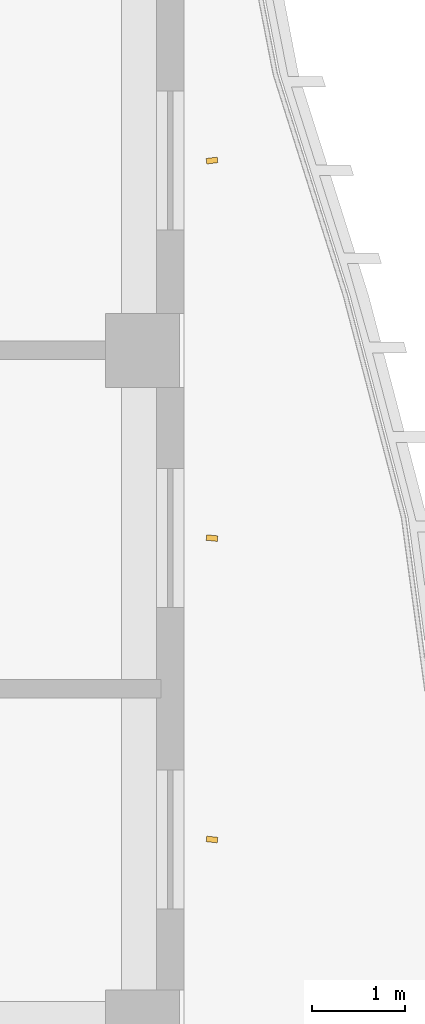
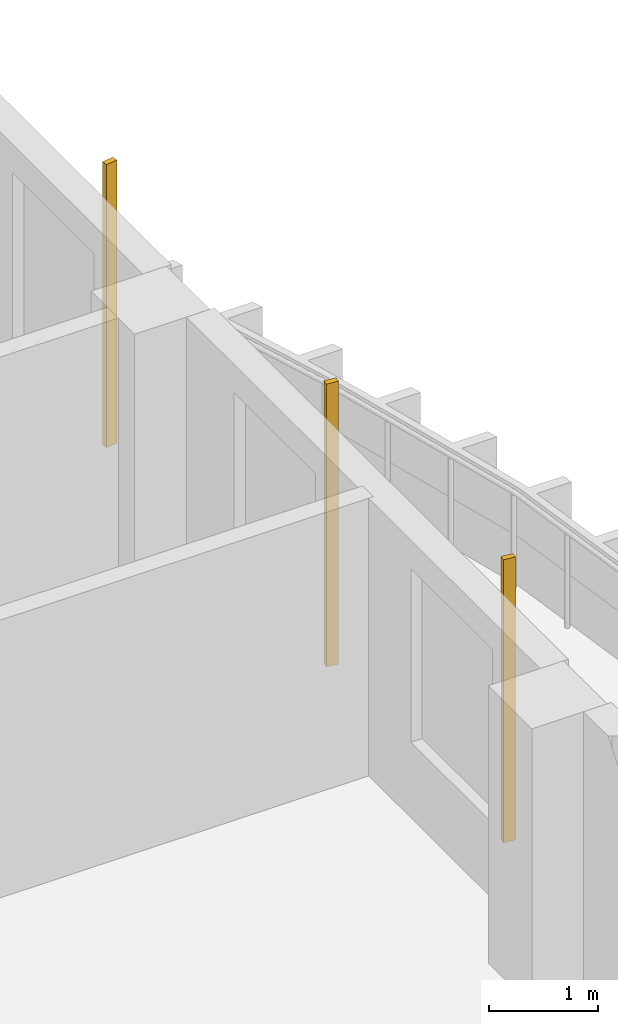
# One storey, part 18 of 20: 3 shading devices.
"""IFC4 building model written with IfcOpenShell, lengths in metres."""

from ifc_helpers import new_model, si_unit, direction, frame, origin, origin_2d, place, context, subcontext, project, spatial, rectangle, extrude, source, transform, mapped, material, material_profile, profile_set, type_object, element, save


model = new_model("IFC4")

# Units and contexts
model_context = context("Model", 3, precision=1e-05, world=origin(), true_north=direction((0.0, 1.0)))
body_context = subcontext(model_context, "Body", "Model", "MODEL_VIEW")
ifc_project = project(units=[si_unit("LENGTHUNIT", "METRE"), si_unit("AREAUNIT", "SQUARE_METRE"), si_unit("VOLUMEUNIT", "CUBIC_METRE"), si_unit("PLANEANGLEUNIT", "RADIAN"), si_unit("MASSUNIT", "GRAM", prefix="KILO")], contexts=[model_context])

# Site, building, storey
site_placement = place(None, origin())
site = spatial("IfcSite", under=ifc_project, at=site_placement, CompositionType="ELEMENT")
building_placement = place(site_placement, origin())
building = spatial("IfcBuilding", under=site, at=building_placement, Name="Kilnfold Tower and Market Hall", CompositionType="ELEMENT")
storey_placement = place(building_placement, frame((0.0, 0.0, 157.5)))
storey = spatial("IfcBuildingStorey", under=building, at=storey_placement, Name="L36", CompositionType="ELEMENT", Elevation=157.5)

# Shading devices
ifc_material = material(Name="Terracotta", Category="masonry")
ifc_material_profile = material_profile(ifc_material, rectangle(XDim=0.06005859375, YDim=0.1201171875, at=origin_2d()), Name="BAG 60x120")
ifc_profile_set = profile_set([ifc_material_profile], Name="Terracotta")
shading_device_type = type_object("IfcShadingDeviceType", Name="BAGUETTE", PredefinedType="USERDEFINED", material=ifc_profile_set)
shared_shape = source(origin(), body_context, "Body", "SweptSolid", [
    extrude(rectangle(XDim=0.06005859375, YDim=0.1201171875, at=origin_2d()), origin(), (0.0, 0.0, 1.0), 3.179931640625),
])
for number, where, z_axis, x_axis, name in (
    (1, (25.550048828125, 2.7158203125, 0.0), (0.0, 0.0, 1.0), (0.107034577865, 0.994255298775, 0.0), "Terracotta baguette L36 E"),
    (2, (25.550048828125, 5.971923828125, 0.0), (0.0, 0.0, 1.0), (0.100420756256, 0.994945059645, 0.0), "Terracotta baguette L36 E"),
    (3, (25.550048828125, 10.050048828125, 0.0), (0.0, 0.0, 1.0), (-0.119117954953, 0.992880109987, 0.0), "Terracotta baguette L36 E"),
):
    element("IfcShadingDevice", number, at=place(storey_placement, frame(where, z_axis=z_axis, x_axis=x_axis)), inside=storey, type_object=shading_device_type, Name=name, ObjectType="BAGUETTE", PredefinedType="USERDEFINED", context=body_context, shape_type="MappedRepresentation", body=[
        mapped(shared_shape, transform((0.0, 0.0, 0.0))),
    ])

save(model, "model.ifc")
